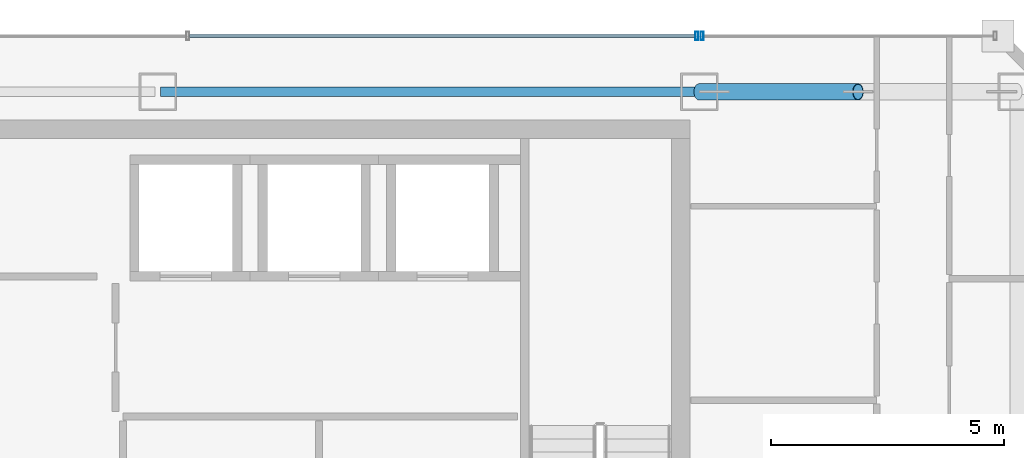
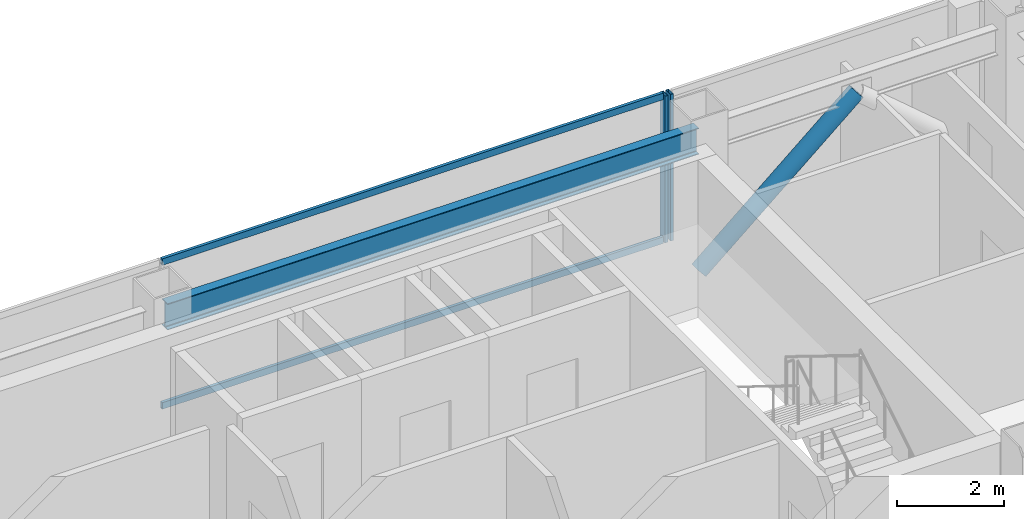
# One storey, part 24 of 35: 5 members, 1 beam, 2 elements without a shape of their own.
"""IFC4 building model written with IfcOpenShell, lengths in metres."""

from ifc_helpers import new_model, si_unit, direction, frame, origin, origin_2d, place, context, subcontext, project, spatial, hollow_rectangle, hollow_circle, i_section, extrude, material, material_profile, profile_set, type_object, element, aggregate, save


model = new_model("IFC4")

# Units and contexts
model_context = context("Model", 3, precision=1e-05, world=origin(), true_north=direction((0.0, 1.0)))
body_context = subcontext(model_context, "Body", "Model", "MODEL_VIEW")
ifc_project = project(units=[si_unit("LENGTHUNIT", "METRE"), si_unit("AREAUNIT", "SQUARE_METRE"), si_unit("VOLUMEUNIT", "CUBIC_METRE"), si_unit("PLANEANGLEUNIT", "RADIAN"), si_unit("MASSUNIT", "GRAM", prefix="KILO")], contexts=[model_context])

# Site, building, storey
site_placement = place(None, origin())
site = spatial("IfcSite", under=ifc_project, at=site_placement, CompositionType="ELEMENT")
building_placement = place(site_placement, origin())
building = spatial("IfcBuilding", under=site, at=building_placement, Name="Saevonmaru Cultural Tower", CompositionType="ELEMENT")
storey_placement = place(building_placement, frame((0.0, 0.0, 249.60009765625)))
storey = spatial("IfcBuildingStorey", under=building, at=storey_placement, Name="L58", CompositionType="ELEMENT", Elevation=249.60009765625)

# Beam
ifc_material_1 = material(Name="Steel SM355", Category="steel")
ifc_material_profile_1 = material_profile(ifc_material_1, i_section(OverallWidth=0.199951171875, OverallDepth=0.60009765625, WebThickness=0.010986328125, FlangeThickness=0.01708984375, FilletRadius=0.02197265625, at=origin_2d()), Name="H-600x200x11x17")
ifc_profile_set_1 = profile_set([ifc_material_profile_1], Name="Steel SM355")
beam_type = type_object("IfcBeamType", Name="BM-SP-H600", PredefinedType="SPANDREL", material=ifc_profile_set_1)
beam_placement = place(storey_placement, frame((34.860107421875, 54.800048828125, 3.0498046875), z_axis=(1.0, 0.0, 0.0), x_axis=(0.0, 1.0, 0.0)))
element("IfcBeam", 1, at=beam_placement, inside=storey, type_object=beam_type, Name="L58 North Spine Girder 4", PredefinedType="SPANDREL", context=body_context, shape_type="SweptSolid", body=[
    extrude(i_section(OverallWidth=0.199951171875, OverallDepth=0.60009765625, WebThickness=0.010986328125, FlangeThickness=0.01708984375, FilletRadius=0.02197265625, at=origin_2d()), origin(), (0.0, 0.0, 1.0), 11.47998046875),
])

# Member
ifc_material_profile_2 = material_profile(ifc_material_1, hollow_circle(Radius=0.177734375, WallThickness=0.01611328125, at=origin_2d()), Name="CHS-355.6x16")
ifc_profile_set_2 = profile_set([ifc_material_profile_2], Name="Steel SM355")
member_type_1 = type_object("IfcMemberType", Name="MB-PBR-CHS356", PredefinedType="BRACE", material=ifc_profile_set_2)
member_1_placement = place(storey_placement, frame((46.39990234375, 54.800048828125, 0.02001953125), z_axis=(0.760858545345, 0.0, 0.648917771351), x_axis=(0.0, 1.0, 0.0)))
element("IfcMember", 2, at=member_1_placement, inside=storey, type_object=member_type_1, Name="L58 Perimeter Braced-Tube Diagonal EN1", PredefinedType="BRACE", context=body_context, shape_type="SweptSolid", body=[
    extrude(hollow_circle(Radius=0.177734375, WallThickness=0.01611328125, at=origin_2d()), origin(), (0.0, 0.0, 1.0), 4.46875),
])

# Curtain wall, member
ifc_material_2 = material(Name="Satin Bronze Anodised Aluminium", Category="aluminium")
curtain_wall_type = type_object("IfcCurtainWallType", Name="CW-TYP-B", PredefinedType="NOTDEFINED", material=ifc_material_2)
curtain_wall_1_placement = place(storey_placement, origin())
curtain_wall_1 = element("IfcCurtainWall", 3, at=curtain_wall_1_placement, inside=storey, type_object=curtain_wall_type, Name="L58 East Braced Bay Spandrel Curtain Wall E10A", PredefinedType="NOTDEFINED")
ifc_material_profile_3 = material_profile(ifc_material_2, hollow_rectangle(XDim=0.06494140625, YDim=0.179931640625, WallThickness=0.00390625, at=origin_2d()), Name="ALU-MULL-180x65x4")
ifc_profile_set_3 = profile_set([ifc_material_profile_3], Name="Satin Bronze Anodised Aluminium")
member_type_2 = type_object("IfcMemberType", Name="ML-CW-180x65", PredefinedType="MULLION", material=ifc_profile_set_3)
member_2_placement = place(storey_placement, frame((46.4599609375, 56.0, 0.0), z_axis=(0.0, 0.0, 1.0), x_axis=(-1.0, 0.0, 0.0)))
member_2 = element("IfcMember", 4, at=member_2_placement, type_object=member_type_2, Name="CW-TW-L58-E10A mullion 2", PredefinedType="MULLION", context=body_context, shape_type="SweptSolid", body=[
    extrude(hollow_rectangle(XDim=0.06494140625, YDim=0.179931640625, WallThickness=0.00390625, at=origin_2d()), origin(), (0.0, 0.0, 1.0), 3.349853515625),
])
aggregate(curtain_wall_1, [member_2])

# Curtain wall, members
curtain_wall_2_placement = place(storey_placement, origin())
curtain_wall_2 = element("IfcCurtainWall", 5, at=curtain_wall_2_placement, inside=storey, type_object=curtain_wall_type, Name="L58 North Spine Unitised Curtain Wall E10B", PredefinedType="NOTDEFINED")
member_3_placement = place(storey_placement, frame((46.340087890625, 56.0, 0.0), z_axis=(0.0, 0.0, 1.0), x_axis=(-1.0, 0.0, 0.0)))
member_3 = element("IfcMember", 6, at=member_3_placement, type_object=member_type_2, Name="CW-TW-L58-E10B mullion 1", PredefinedType="MULLION", context=body_context, shape_type="SweptSolid", body=[
    extrude(hollow_rectangle(XDim=0.06494140625, YDim=0.179931640625, WallThickness=0.00390625, at=origin_2d()), origin(), (0.0, 0.0, 1.0), 3.349853515625),
])
ifc_material_profile_4 = material_profile(ifc_material_2, hollow_rectangle(XDim=0.06494140625, YDim=0.14990234375, WallThickness=0.00390625, at=origin_2d()), Name="ALU-TRAN-150x65x4")
ifc_profile_set_4 = profile_set([ifc_material_profile_4], Name="Satin Bronze Anodised Aluminium")
member_type_3 = type_object("IfcMemberType", Name="TR-CW-150x65", PredefinedType="USERDEFINED", material=ifc_profile_set_4)
member_4_placement = place(storey_placement, frame((46.3076171875, 56.0, 0.032470703125), z_axis=(-1.0, 0.0, 0.0), x_axis=(0.0, -1.0, 0.0)))
member_4 = element("IfcMember", 7, at=member_4_placement, type_object=member_type_3, Name="CW-TW-L58-E10B transom 1.1", ObjectType="TRANSOM", PredefinedType="USERDEFINED", context=body_context, shape_type="SweptSolid", body=[
    extrude(hollow_rectangle(XDim=0.06494140625, YDim=0.14990234375, WallThickness=0.00390625, at=origin_2d()), origin(), (0.0, 0.0, 1.0), 10.828369140625),
])
member_5_placement = place(storey_placement, frame((46.3076171875, 56.0, 3.3173828125), z_axis=(-1.0, 0.0, 0.0), x_axis=(0.0, -1.0, 0.0)))
member_5 = element("IfcMember", 8, at=member_5_placement, type_object=member_type_3, Name="CW-TW-L58-E10B transom 1.2", ObjectType="TRANSOM", PredefinedType="USERDEFINED", context=body_context, shape_type="SweptSolid", body=[
    extrude(hollow_rectangle(XDim=0.06494140625, YDim=0.14990234375, WallThickness=0.00390625, at=origin_2d()), origin(), (0.0, 0.0, 1.0), 10.828369140625),
])
aggregate(curtain_wall_2, [member_3, member_4, member_5])

save(model, "model.ifc")
